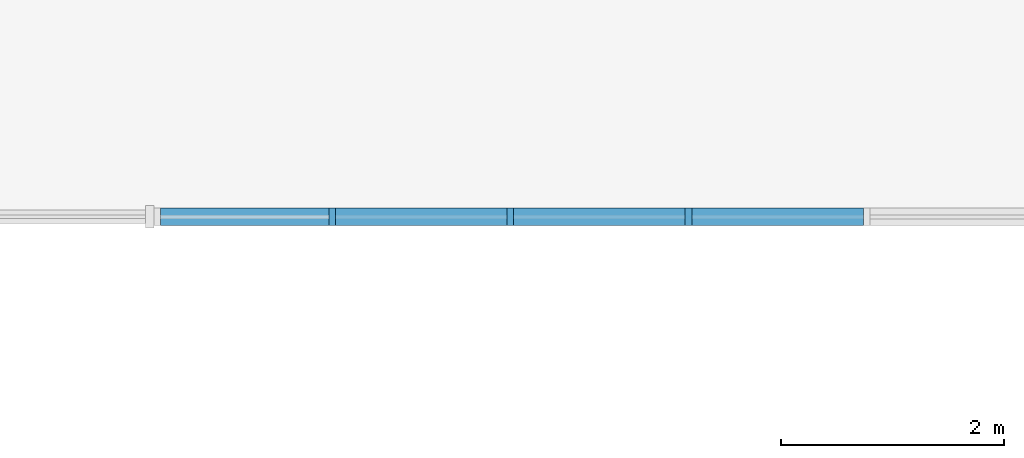
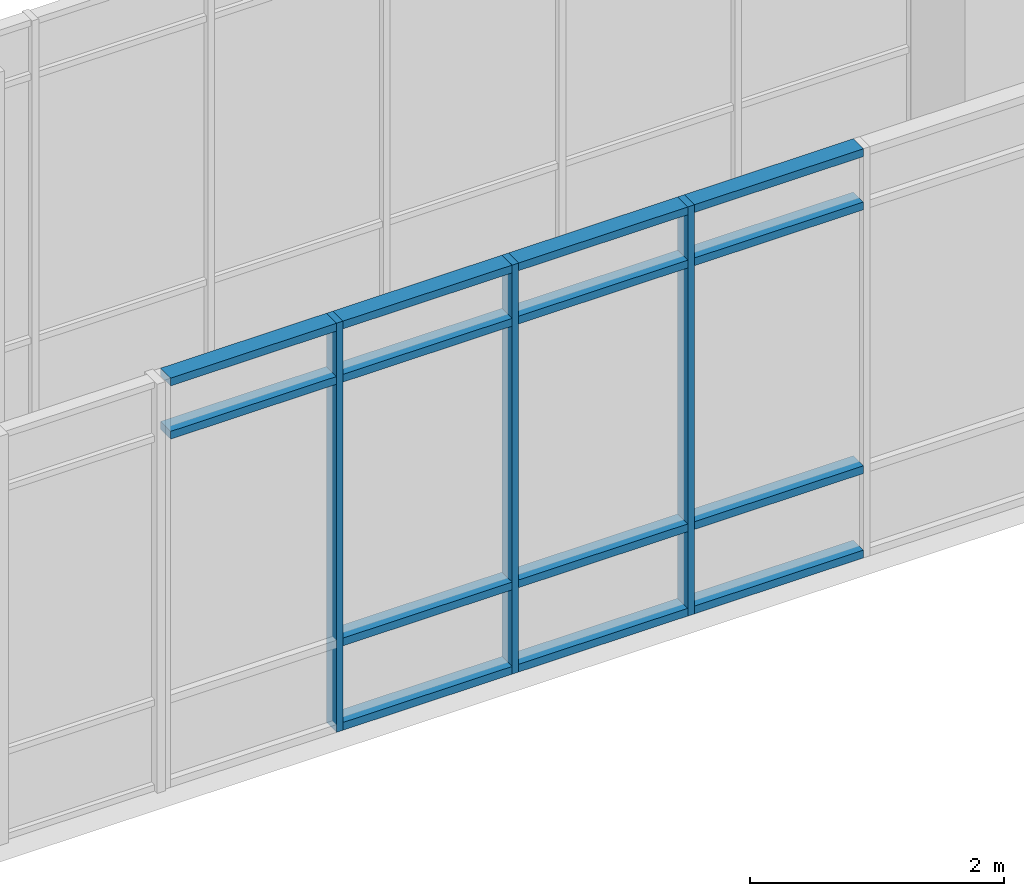
# One storey, part 51 of 152: 17 members, 1 element without a shape of its own.
"""IFC4 building model written with IfcOpenShell, lengths in metres."""

from ifc_helpers import new_model, si_unit, direction, frame, origin, origin_2d, place, context, subcontext, project, spatial, rectangle, extrude, material, material_profile, profile_set, type_object, element, aggregate, save


model = new_model("IFC4")

# Units and contexts
model_context = context("Model", 3, precision=1e-05, world=origin(), true_north=direction((0.0, 1.0)))
body_context = subcontext(model_context, "Body", "Model", "MODEL_VIEW")
ifc_project = project(units=[si_unit("LENGTHUNIT", "METRE"), si_unit("AREAUNIT", "SQUARE_METRE"), si_unit("VOLUMEUNIT", "CUBIC_METRE"), si_unit("PLANEANGLEUNIT", "RADIAN"), si_unit("MASSUNIT", "GRAM", prefix="KILO")], contexts=[model_context])

# Site, building, storey
site_placement = place(None, origin())
site = spatial("IfcSite", under=ifc_project, at=site_placement, CompositionType="ELEMENT")
building_placement = place(site_placement, origin())
building = spatial("IfcBuilding", under=site, at=building_placement, Name="Oolite Switchyard Hospital", CompositionType="ELEMENT")
storey_placement = place(building_placement, frame((0.0, 0.0, 5.10009765625)))
storey = spatial("IfcBuildingStorey", under=building, at=storey_placement, Name="L01", CompositionType="ELEMENT", Elevation=5.10009765625)

# Curtain wall, members
ifc_material_1 = material(Name="Thermally broken aluminum frame with laminated impact glazing", Category="aluminium")
curtain_wall_type = type_object("IfcCurtainWallType", Name="CW-BRG-96X38", PredefinedType="USERDEFINED", material=ifc_material_1)
curtain_wall_placement = place(storey_placement, origin())
curtain_wall = element("IfcCurtainWall", 1, at=curtain_wall_placement, inside=storey, type_object=curtain_wall_type, Name="L01 Unitised Curtain Wall 125", ObjectType="UNITISED", PredefinedType="USERDEFINED")
ifc_material_2 = material(Name="Aluminium 6063-T6", Category="aluminium")
ifc_material_profile_1 = material_profile(ifc_material_2, rectangle(XDim=0.159912109375, YDim=0.06005859375, at=origin_2d()), Name="CWM60X160")
ifc_profile_set_1 = profile_set([ifc_material_profile_1], Name="Aluminium 6063-T6")
member_type_1 = type_object("IfcMemberType", Name="CW-MUL-180", PredefinedType="MULLION", material=ifc_profile_set_1)
member_1_placement = place(storey_placement, frame((158.39990234375, 46.800048828125, 0.0), z_axis=(0.0, 0.0, 1.0), x_axis=(0.0, -1.0, 0.0)))
member_1 = element("IfcMember", 2, at=member_1_placement, type_object=member_type_1, Name="CW-12 mullion 10", PredefinedType="MULLION", context=body_context, shape_type="SweptSolid", body=[
    extrude(rectangle(XDim=0.159912109375, YDim=0.06005859375, at=origin_2d()), origin(), (0.0, 0.0, 1.0), 3.93994140625),
])
member_2_placement = place(storey_placement, frame((156.800048828125, 46.800048828125, 0.0), z_axis=(0.0, 0.0, 1.0), x_axis=(0.0, -1.0, 0.0)))
member_2 = element("IfcMember", 3, at=member_2_placement, type_object=member_type_1, Name="CW-12 mullion 11", PredefinedType="MULLION", context=body_context, shape_type="SweptSolid", body=[
    extrude(rectangle(XDim=0.159912109375, YDim=0.06005859375, at=origin_2d()), origin(), (0.0, 0.0, 1.0), 3.93994140625),
])
member_3_placement = place(storey_placement, frame((155.199951171875, 46.800048828125, 0.0), z_axis=(0.0, 0.0, 1.0), x_axis=(0.0, -1.0, 0.0)))
member_3 = element("IfcMember", 4, at=member_3_placement, type_object=member_type_1, Name="CW-12 mullion 12", PredefinedType="MULLION", context=body_context, shape_type="SweptSolid", body=[
    extrude(rectangle(XDim=0.159912109375, YDim=0.06005859375, at=origin_2d()), origin(), (0.0, 0.0, 1.0), 3.93994140625),
])
ifc_material_profile_2 = material_profile(ifc_material_2, rectangle(XDim=0.159912109375, YDim=0.074951171875, at=origin_2d()), Name="CWT75X160")
ifc_profile_set_2 = profile_set([ifc_material_profile_2], Name="Aluminium 6063-T6")
member_type_2 = type_object("IfcMemberType", Name="CW-TRN-180", PredefinedType="USERDEFINED", material=ifc_profile_set_2)
member_4_placement = place(storey_placement, frame((159.969970703125, 46.800048828125, 0.037353515625), z_axis=(-1.0, 0.0, 0.0), x_axis=(0.0, -1.0, 0.0)))
member_4 = element("IfcMember", 5, at=member_4_placement, type_object=member_type_2, Name="CW-12 transom 9.1", ObjectType="TRANSOM", PredefinedType="USERDEFINED", context=body_context, shape_type="SweptSolid", body=[
    extrude(rectangle(XDim=0.159912109375, YDim=0.074951171875, at=origin_2d()), origin(), (0.0, 0.0, 1.0), 1.5400390625),
])
member_5_placement = place(storey_placement, frame((159.969970703125, 46.800048828125, 0.849853515625), z_axis=(-1.0, 0.0, 0.0), x_axis=(0.0, -1.0, 0.0)))
member_5 = element("IfcMember", 6, at=member_5_placement, type_object=member_type_2, Name="CW-12 transom 9.2", ObjectType="TRANSOM", PredefinedType="USERDEFINED", context=body_context, shape_type="SweptSolid", body=[
    extrude(rectangle(XDim=0.159912109375, YDim=0.074951171875, at=origin_2d()), origin(), (0.0, 0.0, 1.0), 1.5400390625),
])
member_6_placement = place(storey_placement, frame((159.969970703125, 46.800048828125, 3.389892578125), z_axis=(-1.0, 0.0, 0.0), x_axis=(0.0, -1.0, 0.0)))
member_6 = element("IfcMember", 7, at=member_6_placement, type_object=member_type_2, Name="CW-12 transom 9.3", ObjectType="TRANSOM", PredefinedType="USERDEFINED", context=body_context, shape_type="SweptSolid", body=[
    extrude(rectangle(XDim=0.159912109375, YDim=0.074951171875, at=origin_2d()), origin(), (0.0, 0.0, 1.0), 1.5400390625),
])
member_7_placement = place(storey_placement, frame((159.969970703125, 46.800048828125, 3.90234375), z_axis=(-1.0, 0.0, 0.0), x_axis=(0.0, -1.0, 0.0)))
member_7 = element("IfcMember", 8, at=member_7_placement, type_object=member_type_2, Name="CW-12 transom 9.4", ObjectType="TRANSOM", PredefinedType="USERDEFINED", context=body_context, shape_type="SweptSolid", body=[
    extrude(rectangle(XDim=0.159912109375, YDim=0.074951171875, at=origin_2d()), origin(), (0.0, 0.0, 1.0), 1.5400390625),
])
member_8_placement = place(storey_placement, frame((158.3701171875, 46.800048828125, 0.037353515625), z_axis=(-1.0, 0.0, 0.0), x_axis=(0.0, -1.0, 0.0)))
member_8 = element("IfcMember", 9, at=member_8_placement, type_object=member_type_2, Name="CW-12 transom 10.1", ObjectType="TRANSOM", PredefinedType="USERDEFINED", context=body_context, shape_type="SweptSolid", body=[
    extrude(rectangle(XDim=0.159912109375, YDim=0.074951171875, at=origin_2d()), origin(), (0.0, 0.0, 1.0), 1.5400390625),
])
member_9_placement = place(storey_placement, frame((158.3701171875, 46.800048828125, 0.849853515625), z_axis=(-1.0, 0.0, 0.0), x_axis=(0.0, -1.0, 0.0)))
member_9 = element("IfcMember", 10, at=member_9_placement, type_object=member_type_2, Name="CW-12 transom 10.2", ObjectType="TRANSOM", PredefinedType="USERDEFINED", context=body_context, shape_type="SweptSolid", body=[
    extrude(rectangle(XDim=0.159912109375, YDim=0.074951171875, at=origin_2d()), origin(), (0.0, 0.0, 1.0), 1.5400390625),
])
member_10_placement = place(storey_placement, frame((158.3701171875, 46.800048828125, 3.389892578125), z_axis=(-1.0, 0.0, 0.0), x_axis=(0.0, -1.0, 0.0)))
member_10 = element("IfcMember", 11, at=member_10_placement, type_object=member_type_2, Name="CW-12 transom 10.3", ObjectType="TRANSOM", PredefinedType="USERDEFINED", context=body_context, shape_type="SweptSolid", body=[
    extrude(rectangle(XDim=0.159912109375, YDim=0.074951171875, at=origin_2d()), origin(), (0.0, 0.0, 1.0), 1.5400390625),
])
member_11_placement = place(storey_placement, frame((158.3701171875, 46.800048828125, 3.90234375), z_axis=(-1.0, 0.0, 0.0), x_axis=(0.0, -1.0, 0.0)))
member_11 = element("IfcMember", 12, at=member_11_placement, type_object=member_type_2, Name="CW-12 transom 10.4", ObjectType="TRANSOM", PredefinedType="USERDEFINED", context=body_context, shape_type="SweptSolid", body=[
    extrude(rectangle(XDim=0.159912109375, YDim=0.074951171875, at=origin_2d()), origin(), (0.0, 0.0, 1.0), 1.5400390625),
])
member_12_placement = place(storey_placement, frame((156.77001953125, 46.800048828125, 0.037353515625), z_axis=(-1.0, 0.0, 0.0), x_axis=(0.0, -1.0, 0.0)))
member_12 = element("IfcMember", 13, at=member_12_placement, type_object=member_type_2, Name="CW-12 transom 11.1", ObjectType="TRANSOM", PredefinedType="USERDEFINED", context=body_context, shape_type="SweptSolid", body=[
    extrude(rectangle(XDim=0.159912109375, YDim=0.074951171875, at=origin_2d()), origin(), (0.0, 0.0, 1.0), 1.5400390625),
])
member_13_placement = place(storey_placement, frame((156.77001953125, 46.800048828125, 0.849853515625), z_axis=(-1.0, 0.0, 0.0), x_axis=(0.0, -1.0, 0.0)))
member_13 = element("IfcMember", 14, at=member_13_placement, type_object=member_type_2, Name="CW-12 transom 11.2", ObjectType="TRANSOM", PredefinedType="USERDEFINED", context=body_context, shape_type="SweptSolid", body=[
    extrude(rectangle(XDim=0.159912109375, YDim=0.074951171875, at=origin_2d()), origin(), (0.0, 0.0, 1.0), 1.5400390625),
])
member_14_placement = place(storey_placement, frame((156.77001953125, 46.800048828125, 3.389892578125), z_axis=(-1.0, 0.0, 0.0), x_axis=(0.0, -1.0, 0.0)))
member_14 = element("IfcMember", 15, at=member_14_placement, type_object=member_type_2, Name="CW-12 transom 11.3", ObjectType="TRANSOM", PredefinedType="USERDEFINED", context=body_context, shape_type="SweptSolid", body=[
    extrude(rectangle(XDim=0.159912109375, YDim=0.074951171875, at=origin_2d()), origin(), (0.0, 0.0, 1.0), 1.5400390625),
])
member_15_placement = place(storey_placement, frame((156.77001953125, 46.800048828125, 3.90234375), z_axis=(-1.0, 0.0, 0.0), x_axis=(0.0, -1.0, 0.0)))
member_15 = element("IfcMember", 16, at=member_15_placement, type_object=member_type_2, Name="CW-12 transom 11.4", ObjectType="TRANSOM", PredefinedType="USERDEFINED", context=body_context, shape_type="SweptSolid", body=[
    extrude(rectangle(XDim=0.159912109375, YDim=0.074951171875, at=origin_2d()), origin(), (0.0, 0.0, 1.0), 1.5400390625),
])
member_16_placement = place(storey_placement, frame((155.169921875, 46.800048828125, 3.389892578125), z_axis=(-1.0, 0.0, 0.0), x_axis=(0.0, -1.0, 0.0)))
member_16 = element("IfcMember", 17, at=member_16_placement, type_object=member_type_2, Name="CW-12 transom 12.3", ObjectType="TRANSOM", PredefinedType="USERDEFINED", context=body_context, shape_type="SweptSolid", body=[
    extrude(rectangle(XDim=0.159912109375, YDim=0.074951171875, at=origin_2d()), origin(), (0.0, 0.0, 1.0), 1.510009765625),
])
member_17_placement = place(storey_placement, frame((155.169921875, 46.800048828125, 3.90234375), z_axis=(-1.0, 0.0, 0.0), x_axis=(0.0, -1.0, 0.0)))
member_17 = element("IfcMember", 18, at=member_17_placement, type_object=member_type_2, Name="CW-12 transom 12.4", ObjectType="TRANSOM", PredefinedType="USERDEFINED", context=body_context, shape_type="SweptSolid", body=[
    extrude(rectangle(XDim=0.159912109375, YDim=0.074951171875, at=origin_2d()), origin(), (0.0, 0.0, 1.0), 1.510009765625),
])
aggregate(curtain_wall, [member_1, member_2, member_3, member_4, member_5, member_6, member_7, member_8, member_9, member_10, member_11, member_12, member_13, member_14, member_15, member_16, member_17])

save(model, "model.ifc")
